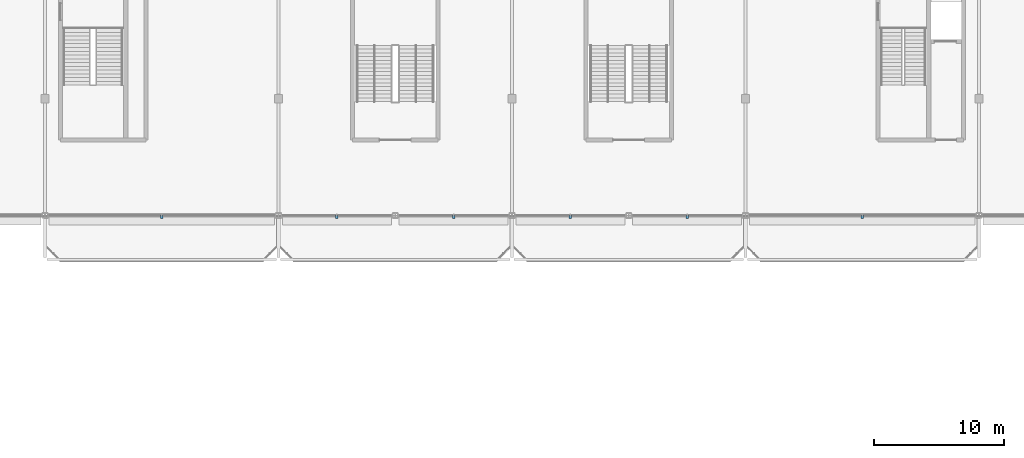
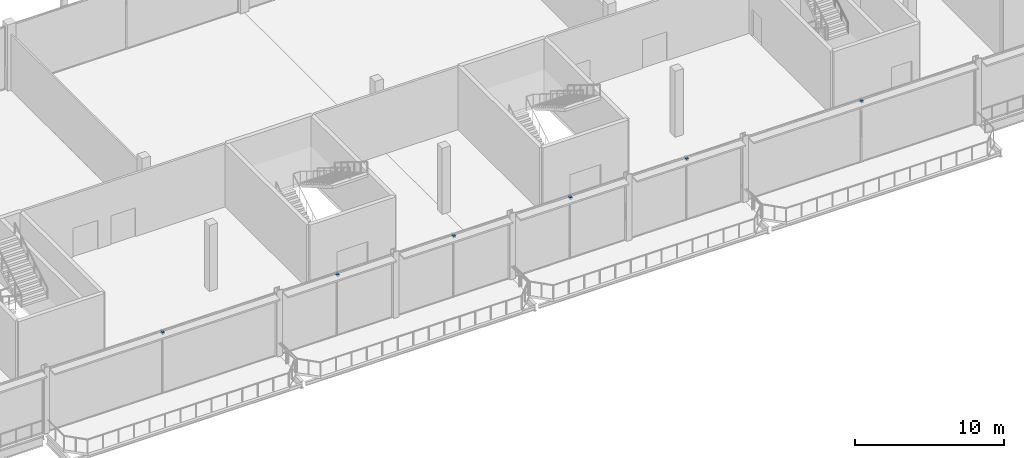
# One storey, part 77 of 113: 6 discrete accessories.
"""IFC4 building model written with IfcOpenShell, lengths in metres."""

from ifc_helpers import new_model, si_unit, direction, frame, origin, origin_2d, place, context, subcontext, project, spatial, rectangle, extrude, material, type_object, element, save


model = new_model("IFC4")

# Units and contexts
model_context = context("Model", 3, precision=1e-05, world=origin(), true_north=direction((0.0, 1.0)))
body_context = subcontext(model_context, "Body", "Model", "MODEL_VIEW")
ifc_project = project(units=[si_unit("LENGTHUNIT", "METRE"), si_unit("AREAUNIT", "SQUARE_METRE"), si_unit("VOLUMEUNIT", "CUBIC_METRE"), si_unit("PLANEANGLEUNIT", "RADIAN"), si_unit("MASSUNIT", "GRAM", prefix="KILO")], contexts=[model_context])

# Site, building, storey
site_placement = place(None, origin())
site = spatial("IfcSite", under=ifc_project, at=site_placement, CompositionType="ELEMENT")
building_placement = place(site_placement, origin())
building = spatial("IfcBuilding", under=site, at=building_placement, Name="Kisiwana Market Hall", CompositionType="ELEMENT")
storey_placement = place(building_placement, frame((0.0, 0.0, 6.0)))
storey = spatial("IfcBuildingStorey", under=building, at=storey_placement, Name="L01", CompositionType="ELEMENT", Elevation=6.0)

# Discrete accessories
ifc_material = material(Name="Steel S355", Category="steel")
discrete_accessory_type = type_object("IfcDiscreteAccessoryType", Name="ACC-BRACKET-STL", PredefinedType="BRACKET", material=ifc_material)
for number, where, z_axis, x_axis, name in (
    (1, (72.0, 83.889892578125, 4.93994140625), (0.0, 0.0, 1.0), (1.0, 0.0, 0.0), "Sunshade steel bracket BRK-018"),
    (2, (85.5, 83.889892578125, 4.93994140625), (0.0, 0.0, 1.0), (1.0, 0.0, 0.0), "Sunshade steel bracket BRK-019"),
    (3, (94.5, 83.889892578125, 4.93994140625), (0.0, 0.0, 1.0), (1.0, 0.0, 0.0), "Sunshade steel bracket BRK-020"),
    (4, (103.5, 83.889892578125, 4.93994140625), (0.0, 0.0, 1.0), (1.0, 0.0, 0.0), "Sunshade steel bracket BRK-021"),
    (5, (112.5, 83.889892578125, 4.93994140625), (0.0, 0.0, 1.0), (1.0, 0.0, 0.0), "Sunshade steel bracket BRK-022"),
    (6, (126.0, 83.889892578125, 4.93994140625), (0.0, 0.0, 1.0), (1.0, 0.0, 0.0), "Sunshade steel bracket BRK-023"),
):
    element("IfcDiscreteAccessory", number, at=place(storey_placement, frame(where, z_axis=z_axis, x_axis=x_axis)), inside=storey, type_object=discrete_accessory_type, Name=name, PredefinedType="BRACKET", context=body_context, shape_type="SweptSolid", body=[
        extrude(rectangle(XDim=0.179931640625, YDim=0.239990234375, at=origin_2d()), origin(), (0.0, 0.0, 1.0), 0.179931640625),
    ])

save(model, "model.ifc")
